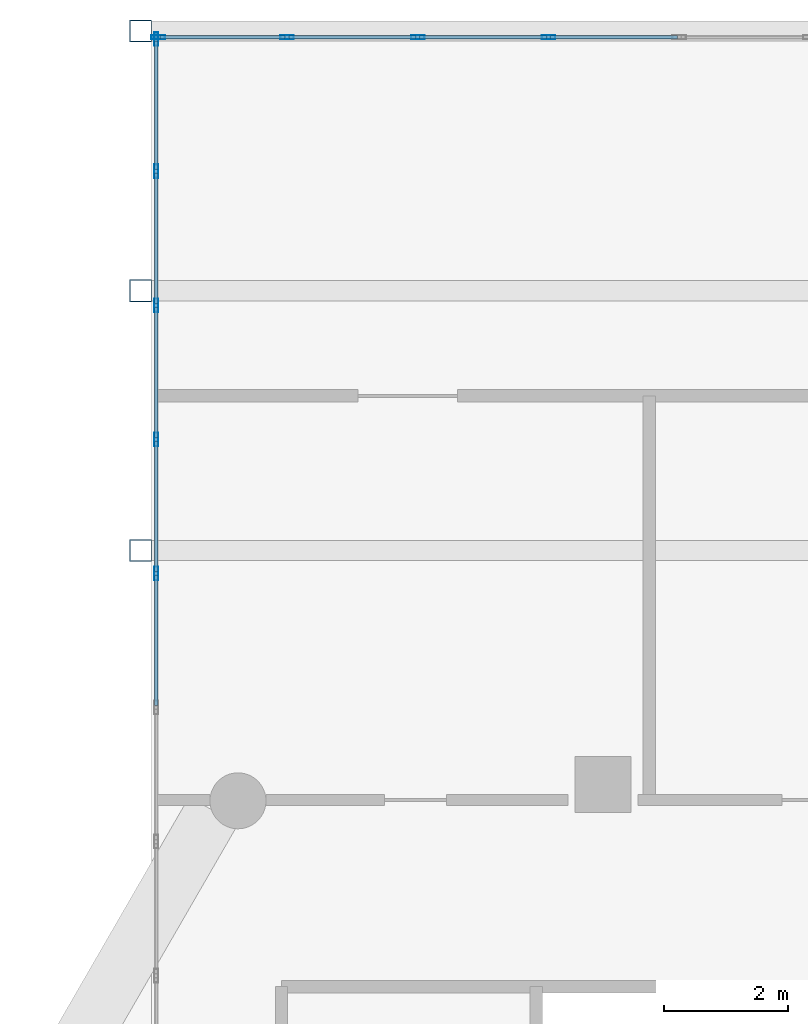
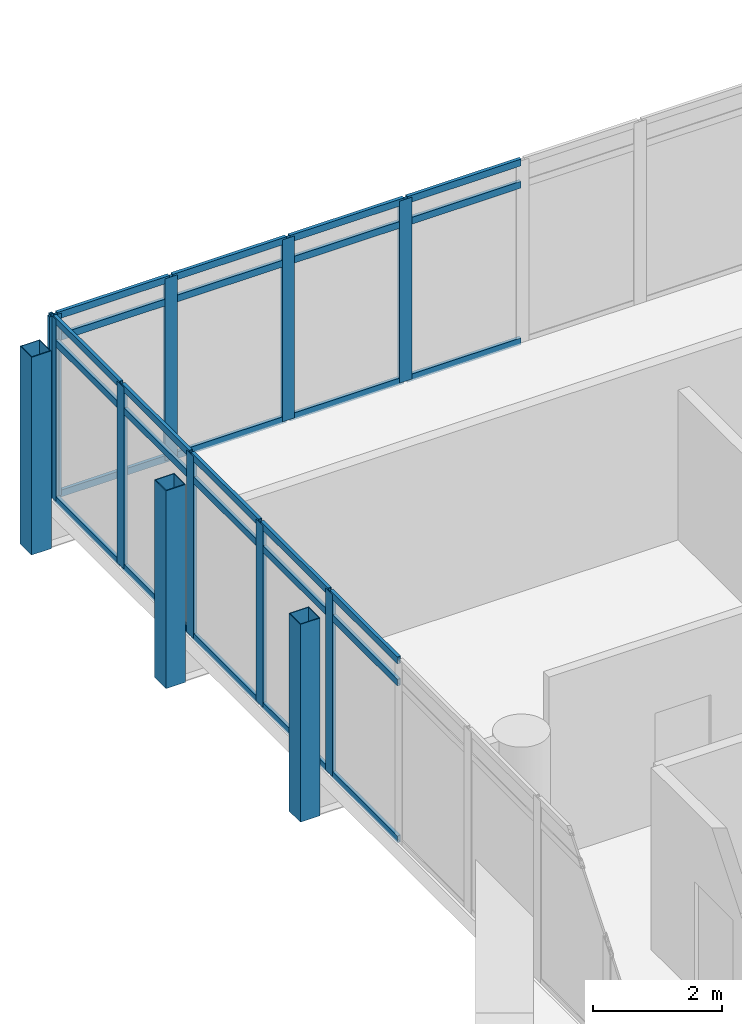
# One storey, part 13 of 25: 39 members, 2 elements without a shape of their own.
"""IFC4 building model written with IfcOpenShell, lengths in metres."""

from ifc_helpers import new_model, si_unit, direction, frame, origin, origin_2d, place, context, subcontext, project, spatial, hollow_rectangle, extrude, material, material_profile, profile_set, type_object, element, aggregate, save


model = new_model("IFC4")

# Units and contexts
model_context = context("Model", 3, precision=1e-05, world=origin(), true_north=direction((0.0, 1.0)))
body_context = subcontext(model_context, "Body", "Model", "MODEL_VIEW")
ifc_project = project(units=[si_unit("LENGTHUNIT", "METRE"), si_unit("AREAUNIT", "SQUARE_METRE"), si_unit("VOLUMEUNIT", "CUBIC_METRE"), si_unit("PLANEANGLEUNIT", "RADIAN"), si_unit("MASSUNIT", "GRAM", prefix="KILO")], contexts=[model_context])

# Site, building, storey
site_placement = place(None, origin())
site = spatial("IfcSite", under=ifc_project, at=site_placement, CompositionType="ELEMENT")
building_placement = place(site_placement, origin())
building = spatial("IfcBuilding", under=site, at=building_placement, Name="Ostrander Bayou Hotel Tower", CompositionType="ELEMENT")
storey_placement = place(building_placement, frame((0.0, 0.0, 229.5)))
storey = spatial("IfcBuildingStorey", under=building, at=storey_placement, Name="L57", CompositionType="ELEMENT", Elevation=229.5)

# Curtain wall, members
ifc_material_1 = material(Name="Aluminium and clear glass", Category="aluminium")
curtain_wall_type = type_object("IfcCurtainWallType", Name="CW-BAR glazed wall", PredefinedType="NOTDEFINED", material=ifc_material_1)
curtain_wall_1_placement = place(storey_placement, origin())
curtain_wall_1 = element("IfcCurtainWall", 1, at=curtain_wall_1_placement, inside=storey, type_object=curtain_wall_type, Name="CW-BAR L57:SB5N:E", PredefinedType="NOTDEFINED")
ifc_material_2 = material(Name="Aluminium", Category="aluminium")
ifc_material_profile_1 = material_profile(ifc_material_2, hollow_rectangle(XDim=0.06005859375, YDim=0.219970703125, WallThickness=0.00390625, at=origin_2d()))
ifc_profile_set_1 = profile_set([ifc_material_profile_1], Name="Aluminium")
member_type_1 = type_object("IfcMemberType", Name="CW-BR mullion 60 x 220 mm", PredefinedType="MULLION", material=ifc_profile_set_1)
member_1_placement = place(storey_placement, frame((-10.51220703125, 20.24365234375, 0.0), z_axis=(0.0, 0.0, 1.0), x_axis=(-1.0, 0.0, 0.0)))
member_1 = element("IfcMember", 2, at=member_1_placement, type_object=member_type_1, Name="CW-BAR mullion 6", PredefinedType="MULLION", context=body_context, shape_type="SweptSolid", body=[
    extrude(hollow_rectangle(XDim=0.06005859375, YDim=0.219970703125, WallThickness=0.00390625, at=origin_2d()), origin(), (0.0, 0.0, 1.0), 3.449951171875),
])
member_2_placement = place(storey_placement, frame((-10.51220703125, 22.3994140625, 0.0), z_axis=(0.0, 0.0, 1.0), x_axis=(-1.0, 0.0, 0.0)))
member_2 = element("IfcMember", 3, at=member_2_placement, type_object=member_type_1, Name="CW-BAR mullion 7", PredefinedType="MULLION", context=body_context, shape_type="SweptSolid", body=[
    extrude(hollow_rectangle(XDim=0.06005859375, YDim=0.219970703125, WallThickness=0.00390625, at=origin_2d()), origin(), (0.0, 0.0, 1.0), 3.449951171875),
])
member_3_placement = place(storey_placement, frame((-10.51220703125, 24.55517578125, 0.0), z_axis=(0.0, 0.0, 1.0), x_axis=(-1.0, 0.0, 0.0)))
member_3 = element("IfcMember", 4, at=member_3_placement, type_object=member_type_1, Name="CW-BAR mullion 8", PredefinedType="MULLION", context=body_context, shape_type="SweptSolid", body=[
    extrude(hollow_rectangle(XDim=0.06005859375, YDim=0.219970703125, WallThickness=0.00390625, at=origin_2d()), origin(), (0.0, 0.0, 1.0), 3.449951171875),
])
member_4_placement = place(storey_placement, frame((-10.51220703125, 26.7109375, 0.0), z_axis=(0.0, 0.0, 1.0), x_axis=(-1.0, 0.0, 0.0)))
member_4 = element("IfcMember", 5, at=member_4_placement, type_object=member_type_1, Name="CW-BAR mullion 9", PredefinedType="MULLION", context=body_context, shape_type="SweptSolid", body=[
    extrude(hollow_rectangle(XDim=0.06005859375, YDim=0.219970703125, WallThickness=0.00390625, at=origin_2d()), origin(), (0.0, 0.0, 1.0), 3.449951171875),
])
member_5_placement = place(storey_placement, frame((-10.51220703125, 28.836669921875, 0.0), z_axis=(0.0, 0.0, 1.0), x_axis=(-1.0, 0.0, 0.0)))
member_5 = element("IfcMember", 6, at=member_5_placement, type_object=member_type_1, Name="CW-BAR mullion 10", PredefinedType="MULLION", context=body_context, shape_type="SweptSolid", body=[
    extrude(hollow_rectangle(XDim=0.06005859375, YDim=0.219970703125, WallThickness=0.00390625, at=origin_2d()), origin(), (0.0, 0.0, 1.0), 3.449951171875),
])

curtain_wall_2_placement = place(storey_placement, origin())
curtain_wall_2 = element("IfcCurtainWall", 7, at=curtain_wall_2_placement, inside=storey, type_object=curtain_wall_type, Name="CW-BAR L57:SB5N:T", PredefinedType="NOTDEFINED")
member_6_placement = place(storey_placement, frame((-10.482177734375, 28.86669921875, 0.0), z_axis=(0.0, 0.0, 1.0), x_axis=(0.0, 1.0, 0.0)))
member_6 = element("IfcMember", 8, at=member_6_placement, type_object=member_type_1, Name="CW-BAR mullion 1", PredefinedType="MULLION", context=body_context, shape_type="SweptSolid", body=[
    extrude(hollow_rectangle(XDim=0.06005859375, YDim=0.219970703125, WallThickness=0.00390625, at=origin_2d()), origin(), (0.0, 0.0, 1.0), 3.449951171875),
])
member_7_placement = place(storey_placement, frame((-8.40966796875, 28.86669921875, 0.0), z_axis=(0.0, 0.0, 1.0), x_axis=(0.0, 1.0, 0.0)))
member_7 = element("IfcMember", 9, at=member_7_placement, type_object=member_type_1, Name="CW-BAR mullion 2", PredefinedType="MULLION", context=body_context, shape_type="SweptSolid", body=[
    extrude(hollow_rectangle(XDim=0.06005859375, YDim=0.219970703125, WallThickness=0.00390625, at=origin_2d()), origin(), (0.0, 0.0, 1.0), 3.449951171875),
])
member_8_placement = place(storey_placement, frame((-6.307373046875, 28.86669921875, 0.0), z_axis=(0.0, 0.0, 1.0), x_axis=(0.0, 1.0, 0.0)))
member_8 = element("IfcMember", 10, at=member_8_placement, type_object=member_type_1, Name="CW-BAR mullion 3", PredefinedType="MULLION", context=body_context, shape_type="SweptSolid", body=[
    extrude(hollow_rectangle(XDim=0.06005859375, YDim=0.219970703125, WallThickness=0.00390625, at=origin_2d()), origin(), (0.0, 0.0, 1.0), 3.449951171875),
])
member_9_placement = place(storey_placement, frame((-4.204833984375, 28.86669921875, 0.0), z_axis=(0.0, 0.0, 1.0), x_axis=(0.0, 1.0, 0.0)))
member_9 = element("IfcMember", 11, at=member_9_placement, type_object=member_type_1, Name="CW-BAR mullion 4", PredefinedType="MULLION", context=body_context, shape_type="SweptSolid", body=[
    extrude(hollow_rectangle(XDim=0.06005859375, YDim=0.219970703125, WallThickness=0.00390625, at=origin_2d()), origin(), (0.0, 0.0, 1.0), 3.449951171875),
])

# Member
ifc_material_3 = material(Name="Aluminium", Category="aluminium")
ifc_material_profile_2 = material_profile(ifc_material_3, hollow_rectangle(XDim=0.06005859375, YDim=0.1298828125, WallThickness=0.00390625, at=origin_2d()))
ifc_profile_set_2 = profile_set([ifc_material_profile_2], Name="Aluminium")
member_type_2 = type_object("IfcMemberType", Name="CW-BR transom 60 x 130 mm", PredefinedType="USERDEFINED", material=ifc_profile_set_2)
member_10_placement = place(storey_placement, frame((-10.51220703125, 18.117919921875, 0.030029296875), z_axis=(0.0, 1.0, 0.0), x_axis=(-1.0, 0.0, 0.0)))
member_10 = element("IfcMember", 12, at=member_10_placement, type_object=member_type_2, Name="CW-BAR transom 5.1", ObjectType="TRANSOM", PredefinedType="USERDEFINED", context=body_context, shape_type="SweptSolid", body=[
    extrude(hollow_rectangle(XDim=0.06005859375, YDim=0.1298828125, WallThickness=0.00390625, at=origin_2d()), origin(), (0.0, 0.0, 1.0), 2.095703125),
])

member_11_placement = place(storey_placement, frame((-10.51220703125, 18.117919921875, 3.0), z_axis=(0.0, 1.0, 0.0), x_axis=(-1.0, 0.0, 0.0)))
member_11 = element("IfcMember", 13, at=member_11_placement, type_object=member_type_2, Name="CW-BAR transom 5.2", ObjectType="TRANSOM", PredefinedType="USERDEFINED", context=body_context, shape_type="SweptSolid", body=[
    extrude(hollow_rectangle(XDim=0.06005859375, YDim=0.1298828125, WallThickness=0.00390625, at=origin_2d()), origin(), (0.0, 0.0, 1.0), 2.095703125),
])

member_12_placement = place(storey_placement, frame((-10.51220703125, 18.117919921875, 3.419921875), z_axis=(0.0, 1.0, 0.0), x_axis=(-1.0, 0.0, 0.0)))
member_12 = element("IfcMember", 14, at=member_12_placement, type_object=member_type_2, Name="CW-BAR transom 5.3", ObjectType="TRANSOM", PredefinedType="USERDEFINED", context=body_context, shape_type="SweptSolid", body=[
    extrude(hollow_rectangle(XDim=0.06005859375, YDim=0.1298828125, WallThickness=0.00390625, at=origin_2d()), origin(), (0.0, 0.0, 1.0), 2.095703125),
])

member_13_placement = place(storey_placement, frame((-10.51220703125, 20.273681640625, 0.030029296875), z_axis=(0.0, 1.0, 0.0), x_axis=(-1.0, 0.0, 0.0)))
member_13 = element("IfcMember", 15, at=member_13_placement, type_object=member_type_2, Name="CW-BAR transom 6.1", ObjectType="TRANSOM", PredefinedType="USERDEFINED", context=body_context, shape_type="SweptSolid", body=[
    extrude(hollow_rectangle(XDim=0.06005859375, YDim=0.1298828125, WallThickness=0.00390625, at=origin_2d()), origin(), (0.0, 0.0, 1.0), 2.095703125),
])

member_14_placement = place(storey_placement, frame((-10.51220703125, 20.273681640625, 3.0), z_axis=(0.0, 1.0, 0.0), x_axis=(-1.0, 0.0, 0.0)))
member_14 = element("IfcMember", 16, at=member_14_placement, type_object=member_type_2, Name="CW-BAR transom 6.2", ObjectType="TRANSOM", PredefinedType="USERDEFINED", context=body_context, shape_type="SweptSolid", body=[
    extrude(hollow_rectangle(XDim=0.06005859375, YDim=0.1298828125, WallThickness=0.00390625, at=origin_2d()), origin(), (0.0, 0.0, 1.0), 2.095703125),
])

member_15_placement = place(storey_placement, frame((-10.51220703125, 20.273681640625, 3.419921875), z_axis=(0.0, 1.0, 0.0), x_axis=(-1.0, 0.0, 0.0)))
member_15 = element("IfcMember", 17, at=member_15_placement, type_object=member_type_2, Name="CW-BAR transom 6.3", ObjectType="TRANSOM", PredefinedType="USERDEFINED", context=body_context, shape_type="SweptSolid", body=[
    extrude(hollow_rectangle(XDim=0.06005859375, YDim=0.1298828125, WallThickness=0.00390625, at=origin_2d()), origin(), (0.0, 0.0, 1.0), 2.095703125),
])

member_16_placement = place(storey_placement, frame((-10.51220703125, 22.429443359375, 0.030029296875), z_axis=(0.0, 1.0, 0.0), x_axis=(-1.0, 0.0, 0.0)))
member_16 = element("IfcMember", 18, at=member_16_placement, type_object=member_type_2, Name="CW-BAR transom 7.1", ObjectType="TRANSOM", PredefinedType="USERDEFINED", context=body_context, shape_type="SweptSolid", body=[
    extrude(hollow_rectangle(XDim=0.06005859375, YDim=0.1298828125, WallThickness=0.00390625, at=origin_2d()), origin(), (0.0, 0.0, 1.0), 2.095703125),
])

member_17_placement = place(storey_placement, frame((-10.51220703125, 22.429443359375, 3.0), z_axis=(0.0, 1.0, 0.0), x_axis=(-1.0, 0.0, 0.0)))
member_17 = element("IfcMember", 19, at=member_17_placement, type_object=member_type_2, Name="CW-BAR transom 7.2", ObjectType="TRANSOM", PredefinedType="USERDEFINED", context=body_context, shape_type="SweptSolid", body=[
    extrude(hollow_rectangle(XDim=0.06005859375, YDim=0.1298828125, WallThickness=0.00390625, at=origin_2d()), origin(), (0.0, 0.0, 1.0), 2.095703125),
])

member_18_placement = place(storey_placement, frame((-10.51220703125, 22.429443359375, 3.419921875), z_axis=(0.0, 1.0, 0.0), x_axis=(-1.0, 0.0, 0.0)))
member_18 = element("IfcMember", 20, at=member_18_placement, type_object=member_type_2, Name="CW-BAR transom 7.3", ObjectType="TRANSOM", PredefinedType="USERDEFINED", context=body_context, shape_type="SweptSolid", body=[
    extrude(hollow_rectangle(XDim=0.06005859375, YDim=0.1298828125, WallThickness=0.00390625, at=origin_2d()), origin(), (0.0, 0.0, 1.0), 2.095703125),
])

member_19_placement = place(storey_placement, frame((-10.51220703125, 24.585205078125, 0.030029296875), z_axis=(0.0, 1.0, 0.0), x_axis=(-1.0, 0.0, 0.0)))
member_19 = element("IfcMember", 21, at=member_19_placement, type_object=member_type_2, Name="CW-BAR transom 8.1", ObjectType="TRANSOM", PredefinedType="USERDEFINED", context=body_context, shape_type="SweptSolid", body=[
    extrude(hollow_rectangle(XDim=0.06005859375, YDim=0.1298828125, WallThickness=0.00390625, at=origin_2d()), origin(), (0.0, 0.0, 1.0), 2.095703125),
])

member_20_placement = place(storey_placement, frame((-10.51220703125, 24.585205078125, 3.0), z_axis=(0.0, 1.0, 0.0), x_axis=(-1.0, 0.0, 0.0)))
member_20 = element("IfcMember", 22, at=member_20_placement, type_object=member_type_2, Name="CW-BAR transom 8.2", ObjectType="TRANSOM", PredefinedType="USERDEFINED", context=body_context, shape_type="SweptSolid", body=[
    extrude(hollow_rectangle(XDim=0.06005859375, YDim=0.1298828125, WallThickness=0.00390625, at=origin_2d()), origin(), (0.0, 0.0, 1.0), 2.095703125),
])

member_21_placement = place(storey_placement, frame((-10.51220703125, 24.585205078125, 3.419921875), z_axis=(0.0, 1.0, 0.0), x_axis=(-1.0, 0.0, 0.0)))
member_21 = element("IfcMember", 23, at=member_21_placement, type_object=member_type_2, Name="CW-BAR transom 8.3", ObjectType="TRANSOM", PredefinedType="USERDEFINED", context=body_context, shape_type="SweptSolid", body=[
    extrude(hollow_rectangle(XDim=0.06005859375, YDim=0.1298828125, WallThickness=0.00390625, at=origin_2d()), origin(), (0.0, 0.0, 1.0), 2.095703125),
])

member_22_placement = place(storey_placement, frame((-10.51220703125, 26.740966796875, 0.030029296875), z_axis=(0.0, 1.0, 0.0), x_axis=(-1.0, 0.0, 0.0)))
member_22 = element("IfcMember", 24, at=member_22_placement, type_object=member_type_2, Name="CW-BAR transom 9.1", ObjectType="TRANSOM", PredefinedType="USERDEFINED", context=body_context, shape_type="SweptSolid", body=[
    extrude(hollow_rectangle(XDim=0.06005859375, YDim=0.1298828125, WallThickness=0.00390625, at=origin_2d()), origin(), (0.0, 0.0, 1.0), 2.065673828125),
])

member_23_placement = place(storey_placement, frame((-10.51220703125, 26.740966796875, 3.0), z_axis=(0.0, 1.0, 0.0), x_axis=(-1.0, 0.0, 0.0)))
member_23 = element("IfcMember", 25, at=member_23_placement, type_object=member_type_2, Name="CW-BAR transom 9.2", ObjectType="TRANSOM", PredefinedType="USERDEFINED", context=body_context, shape_type="SweptSolid", body=[
    extrude(hollow_rectangle(XDim=0.06005859375, YDim=0.1298828125, WallThickness=0.00390625, at=origin_2d()), origin(), (0.0, 0.0, 1.0), 2.065673828125),
])

member_24_placement = place(storey_placement, frame((-10.51220703125, 26.740966796875, 3.419921875), z_axis=(0.0, 1.0, 0.0), x_axis=(-1.0, 0.0, 0.0)))
member_24 = element("IfcMember", 26, at=member_24_placement, type_object=member_type_2, Name="CW-BAR transom 9.3", ObjectType="TRANSOM", PredefinedType="USERDEFINED", context=body_context, shape_type="SweptSolid", body=[
    extrude(hollow_rectangle(XDim=0.06005859375, YDim=0.1298828125, WallThickness=0.00390625, at=origin_2d()), origin(), (0.0, 0.0, 1.0), 2.065673828125),
])

aggregate(curtain_wall_1, [member_1, member_2, member_3, member_4, member_5, member_10, member_11, member_12, member_13, member_14, member_15, member_16, member_17, member_18, member_19, member_20, member_21, member_22, member_23, member_24])

member_25_placement = place(storey_placement, frame((-10.4521484375, 28.86669921875, 0.030029296875), z_axis=(1.0, 0.0, 0.0), x_axis=(0.0, 1.0, 0.0)))
member_25 = element("IfcMember", 27, at=member_25_placement, type_object=member_type_2, Name="CW-BAR transom 1.1", ObjectType="TRANSOM", PredefinedType="USERDEFINED", context=body_context, shape_type="SweptSolid", body=[
    extrude(hollow_rectangle(XDim=0.06005859375, YDim=0.1298828125, WallThickness=0.00390625, at=origin_2d()), origin(), (0.0, 0.0, 1.0), 2.012451171875),
])

member_26_placement = place(storey_placement, frame((-10.4521484375, 28.86669921875, 3.0), z_axis=(1.0, 0.0, 0.0), x_axis=(0.0, 1.0, 0.0)))
member_26 = element("IfcMember", 28, at=member_26_placement, type_object=member_type_2, Name="CW-BAR transom 1.2", ObjectType="TRANSOM", PredefinedType="USERDEFINED", context=body_context, shape_type="SweptSolid", body=[
    extrude(hollow_rectangle(XDim=0.06005859375, YDim=0.1298828125, WallThickness=0.00390625, at=origin_2d()), origin(), (0.0, 0.0, 1.0), 2.012451171875),
])

member_27_placement = place(storey_placement, frame((-10.4521484375, 28.86669921875, 3.419921875), z_axis=(1.0, 0.0, 0.0), x_axis=(0.0, 1.0, 0.0)))
member_27 = element("IfcMember", 29, at=member_27_placement, type_object=member_type_2, Name="CW-BAR transom 1.3", ObjectType="TRANSOM", PredefinedType="USERDEFINED", context=body_context, shape_type="SweptSolid", body=[
    extrude(hollow_rectangle(XDim=0.06005859375, YDim=0.1298828125, WallThickness=0.00390625, at=origin_2d()), origin(), (0.0, 0.0, 1.0), 2.012451171875),
])

member_28_placement = place(storey_placement, frame((-8.379638671875, 28.86669921875, 0.030029296875), z_axis=(1.0, 0.0, 0.0), x_axis=(0.0, 1.0, 0.0)))
member_28 = element("IfcMember", 30, at=member_28_placement, type_object=member_type_2, Name="CW-BAR transom 2.1", ObjectType="TRANSOM", PredefinedType="USERDEFINED", context=body_context, shape_type="SweptSolid", body=[
    extrude(hollow_rectangle(XDim=0.06005859375, YDim=0.1298828125, WallThickness=0.00390625, at=origin_2d()), origin(), (0.0, 0.0, 1.0), 2.042236328125),
])

member_29_placement = place(storey_placement, frame((-8.379638671875, 28.86669921875, 3.0), z_axis=(1.0, 0.0, 0.0), x_axis=(0.0, 1.0, 0.0)))
member_29 = element("IfcMember", 31, at=member_29_placement, type_object=member_type_2, Name="CW-BAR transom 2.2", ObjectType="TRANSOM", PredefinedType="USERDEFINED", context=body_context, shape_type="SweptSolid", body=[
    extrude(hollow_rectangle(XDim=0.06005859375, YDim=0.1298828125, WallThickness=0.00390625, at=origin_2d()), origin(), (0.0, 0.0, 1.0), 2.042236328125),
])

member_30_placement = place(storey_placement, frame((-8.379638671875, 28.86669921875, 3.419921875), z_axis=(1.0, 0.0, 0.0), x_axis=(0.0, 1.0, 0.0)))
member_30 = element("IfcMember", 32, at=member_30_placement, type_object=member_type_2, Name="CW-BAR transom 2.3", ObjectType="TRANSOM", PredefinedType="USERDEFINED", context=body_context, shape_type="SweptSolid", body=[
    extrude(hollow_rectangle(XDim=0.06005859375, YDim=0.1298828125, WallThickness=0.00390625, at=origin_2d()), origin(), (0.0, 0.0, 1.0), 2.042236328125),
])

member_31_placement = place(storey_placement, frame((-6.27734375, 28.86669921875, 0.030029296875), z_axis=(1.0, 0.0, 0.0), x_axis=(0.0, 1.0, 0.0)))
member_31 = element("IfcMember", 33, at=member_31_placement, type_object=member_type_2, Name="CW-BAR transom 3.1", ObjectType="TRANSOM", PredefinedType="USERDEFINED", context=body_context, shape_type="SweptSolid", body=[
    extrude(hollow_rectangle(XDim=0.06005859375, YDim=0.1298828125, WallThickness=0.00390625, at=origin_2d()), origin(), (0.0, 0.0, 1.0), 2.04248046875),
])

member_32_placement = place(storey_placement, frame((-6.27734375, 28.86669921875, 3.0), z_axis=(1.0, 0.0, 0.0), x_axis=(0.0, 1.0, 0.0)))
member_32 = element("IfcMember", 34, at=member_32_placement, type_object=member_type_2, Name="CW-BAR transom 3.2", ObjectType="TRANSOM", PredefinedType="USERDEFINED", context=body_context, shape_type="SweptSolid", body=[
    extrude(hollow_rectangle(XDim=0.06005859375, YDim=0.1298828125, WallThickness=0.00390625, at=origin_2d()), origin(), (0.0, 0.0, 1.0), 2.04248046875),
])

member_33_placement = place(storey_placement, frame((-6.27734375, 28.86669921875, 3.419921875), z_axis=(1.0, 0.0, 0.0), x_axis=(0.0, 1.0, 0.0)))
member_33 = element("IfcMember", 35, at=member_33_placement, type_object=member_type_2, Name="CW-BAR transom 3.3", ObjectType="TRANSOM", PredefinedType="USERDEFINED", context=body_context, shape_type="SweptSolid", body=[
    extrude(hollow_rectangle(XDim=0.06005859375, YDim=0.1298828125, WallThickness=0.00390625, at=origin_2d()), origin(), (0.0, 0.0, 1.0), 2.04248046875),
])

member_34_placement = place(storey_placement, frame((-4.1748046875, 28.86669921875, 0.030029296875), z_axis=(1.0, 0.0, 0.0), x_axis=(0.0, 1.0, 0.0)))
member_34 = element("IfcMember", 36, at=member_34_placement, type_object=member_type_2, Name="CW-BAR transom 4.1", ObjectType="TRANSOM", PredefinedType="USERDEFINED", context=body_context, shape_type="SweptSolid", body=[
    extrude(hollow_rectangle(XDim=0.06005859375, YDim=0.1298828125, WallThickness=0.00390625, at=origin_2d()), origin(), (0.0, 0.0, 1.0), 2.04248046875),
])

member_35_placement = place(storey_placement, frame((-4.1748046875, 28.86669921875, 3.0), z_axis=(1.0, 0.0, 0.0), x_axis=(0.0, 1.0, 0.0)))
member_35 = element("IfcMember", 37, at=member_35_placement, type_object=member_type_2, Name="CW-BAR transom 4.2", ObjectType="TRANSOM", PredefinedType="USERDEFINED", context=body_context, shape_type="SweptSolid", body=[
    extrude(hollow_rectangle(XDim=0.06005859375, YDim=0.1298828125, WallThickness=0.00390625, at=origin_2d()), origin(), (0.0, 0.0, 1.0), 2.04248046875),
])

member_36_placement = place(storey_placement, frame((-4.1748046875, 28.86669921875, 3.419921875), z_axis=(1.0, 0.0, 0.0), x_axis=(0.0, 1.0, 0.0)))
member_36 = element("IfcMember", 38, at=member_36_placement, type_object=member_type_2, Name="CW-BAR transom 4.3", ObjectType="TRANSOM", PredefinedType="USERDEFINED", context=body_context, shape_type="SweptSolid", body=[
    extrude(hollow_rectangle(XDim=0.06005859375, YDim=0.1298828125, WallThickness=0.00390625, at=origin_2d()), origin(), (0.0, 0.0, 1.0), 2.04248046875),
])

aggregate(curtain_wall_2, [member_6, member_7, member_8, member_9, member_25, member_26, member_27, member_28, member_29, member_30, member_31, member_32, member_33, member_34, member_35, member_36])

# Members
ifc_material_4 = material(Name="Steel ASTM A500 Gr C", Category="steel")
ifc_material_profile_3 = material_profile(ifc_material_4, hollow_rectangle(XDim=0.355712890625, YDim=0.355712890625, WallThickness=0.0146484375, at=origin_2d()))
ifc_profile_set_3 = profile_set([ifc_material_profile_3], Name="Steel ASTM A500 Gr C")
member_type_3 = type_object("IfcMemberType", Name="TH1 bar hanger HSS14x14x5/8", PredefinedType="POST", material=ifc_profile_set_3)
for number, where, z_axis, x_axis, name in (
    (39, (-10.764892578125, 28.966552734375, -0.9111328125), (0.0, 0.0, 1.0), (1.0, 0.0, 0.0), "TH1 SB5WA H1-3"),
    (40, (-10.764892578125, 24.790283203125, -0.9111328125), (0.0, 0.0, 1.0), (1.0, 0.0, 0.0), "TH1 SB5WA H2-3"),
    (41, (-10.764892578125, 20.6142578125, -0.9111328125), (0.0, 0.0, 1.0), (1.0, 0.0, 0.0), "TH1 SB5WA H3-3"),
):
    element("IfcMember", number, at=place(storey_placement, frame(where, z_axis=z_axis, x_axis=x_axis)), inside=storey, type_object=member_type_3, Name=name, PredefinedType="POST", context=body_context, shape_type="SweptSolid", body=[
        extrude(hollow_rectangle(XDim=0.355712890625, YDim=0.355712890625, WallThickness=0.0146484375, at=origin_2d()), origin(), (0.0, 0.0, 1.0), 3.75),
    ])

save(model, "model.ifc")
